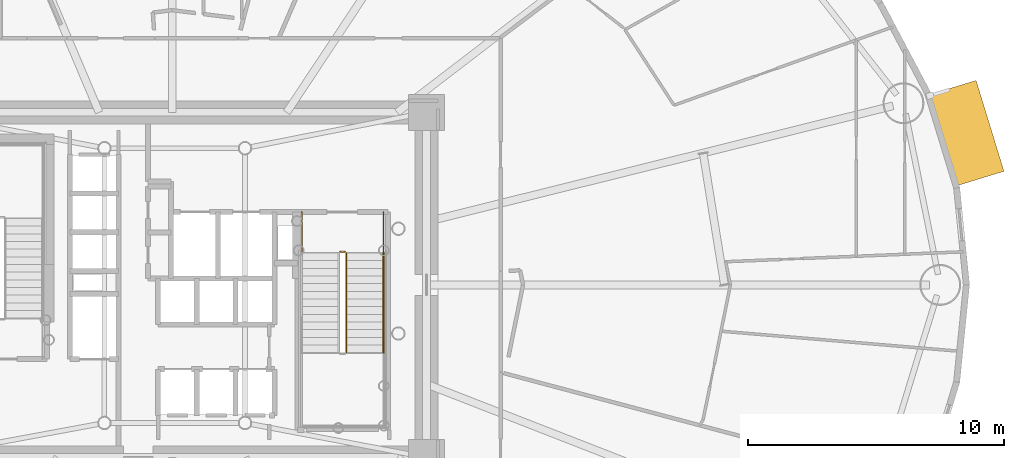
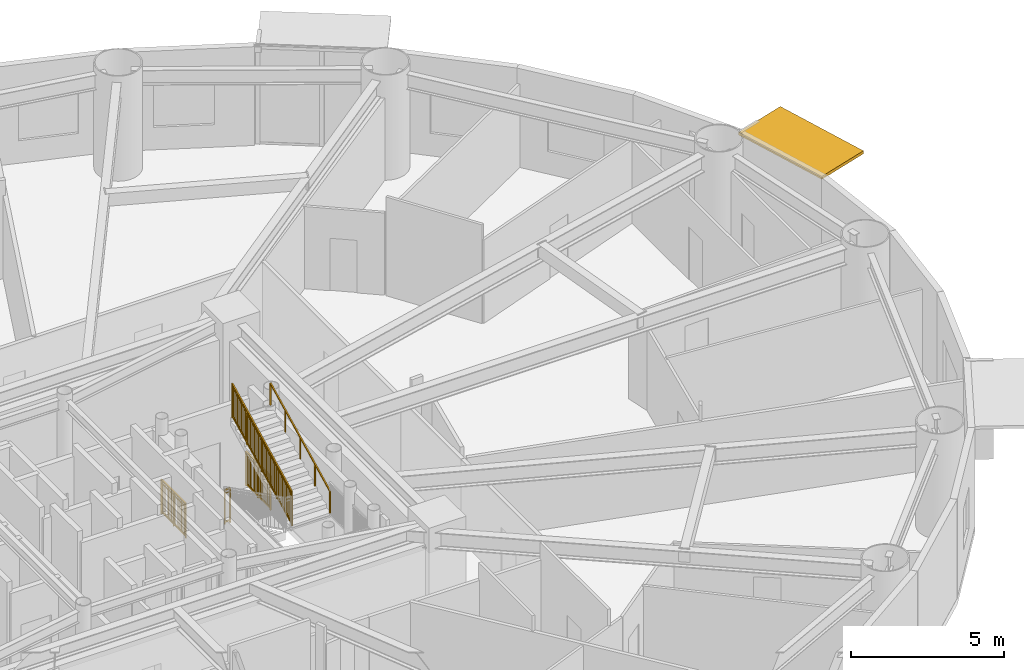
# One storey, part 23 of 24: 5 railings, 1 shading device.
"""IFC4 building model written with IfcOpenShell, lengths in metres."""

import ifcopenshell
import ifcopenshell.guid

model = None  # the IFC model being written
_history = None  # IfcOwnerHistory: only IFC2X3 demands one
_inside = {}  # id of a spatial element -> (the spatial element, [elements in it])
_under = {}  # id of a project, library or spatial element -> (it, [spatial elements below it])
_declared = {}  # id of a project -> (the project, [libraries it declares])
_typed = {}  # id of a type object -> (the type object, [elements of that type])
_made_of = {}  # id of a material, layer set ... -> (it, [elements and type objects made of it])


def new_model(schema):
    """Start an empty IFC model of exactly this schema.

    Asked for "IFC4X3", IfcOpenShell would pick the latest addendum, in which some entities
    have other attributes; the version numbers below select the first issue.
    IFC2X3 requires an IfcOwnerHistory on every rooted entity: one is made here for all.
    """
    global model, _history
    if schema == "IFC4X3":
        model = ifcopenshell.file(schema_version=(4, 3, 0, 0))
    else:
        model = ifcopenshell.file(schema=schema)
    _inside.clear()
    _under.clear()
    _declared.clear()
    _typed.clear()
    _made_of.clear()
    _history = None
    if model.schema == "IFC2X3":
        org = make("IfcOrganization", Name="unknown")
        user = make(
            "IfcPersonAndOrganization",
            ThePerson=make("IfcPerson", FamilyName="unknown"),
            TheOrganization=org,
        )
        app = make(
            "IfcApplication",
            ApplicationDeveloper=org,
            Version="unknown",
            ApplicationFullName="unknown",
            ApplicationIdentifier="unknown",
        )
        _history = make(
            "IfcOwnerHistory",
            OwningUser=user,
            OwningApplication=app,
            ChangeAction="ADDED",
            CreationDate=0,
        )
    return model


def make(cls, **values):
    """One entity of the class cls with the attributes given. An attribute that is None is left unset."""
    return model.create_entity(
        cls, **{name: value for name, value in values.items() if value is not None}
    )


def rooted(cls, **values):
    """An entity with a GlobalId (a new one), such as an element, a storey or a relation."""
    return make(cls, GlobalId=ifcopenshell.guid.new(), OwnerHistory=_history, **values)


def si_unit(unit_type, name, prefix=None):
    """IfcSIUnit, for example si_unit("LENGTHUNIT", "METRE", prefix="MILLI")."""
    return make("IfcSIUnit", UnitType=unit_type, Prefix=prefix, Name=name)


def assignment(units):
    """IfcUnitAssignment: the units of a project."""
    return None if units is None else make("IfcUnitAssignment", Units=units)


def point(xyz):
    """IfcCartesianPoint."""
    return None if xyz is None else make("IfcCartesianPoint", Coordinates=xyz)


def direction(xyz):
    """IfcDirection."""
    return None if xyz is None else make("IfcDirection", DirectionRatios=xyz)


def frame(location, z_axis=None, x_axis=None):
    """IfcAxis2Placement3D, a coordinate frame: its origin and axes. An axis left out is left unset."""
    return make(
        "IfcAxis2Placement3D",
        Location=point(location),
        Axis=direction(z_axis),
        RefDirection=direction(x_axis),
    )


def frame_2d(location, x_axis=None):
    """IfcAxis2Placement2D, a coordinate frame in the plane: its origin and x axis."""
    return make(
        "IfcAxis2Placement2D", Location=point(location), RefDirection=direction(x_axis)
    )


def origin():
    """The frame at (0, 0, 0) with its axes left unset."""
    return frame((0.0, 0.0, 0.0))


def origin_2d():
    """The frame at (0, 0) in the plane with its x axis left unset."""
    return frame_2d((0.0, 0.0))


def place(relative_to, where):
    """IfcLocalPlacement: puts the frame where relative to a parent placement (None: the world)."""
    return make(
        "IfcLocalPlacement", PlacementRelTo=relative_to, RelativePlacement=where
    )


def context(
    kind, dimensions, precision=None, world=None, true_north=None, identifier=None
):
    """IfcGeometricRepresentationContext, for example the 3D "Model" context."""
    return make(
        "IfcGeometricRepresentationContext",
        ContextIdentifier=identifier,
        ContextType=kind,
        CoordinateSpaceDimension=dimensions,
        Precision=precision,
        WorldCoordinateSystem=world,
        TrueNorth=true_north,
    )


def subcontext(parent, identifier, kind, view, scale=None):
    """IfcGeometricRepresentationSubContext, for example "Body" below "Model"."""
    return make(
        "IfcGeometricRepresentationSubContext",
        ContextIdentifier=identifier,
        ContextType=kind,
        ParentContext=parent,
        TargetScale=scale,
        TargetView=view,
    )


def project(units=None, contexts=None):
    """IfcProject with its units and contexts."""
    return rooted(
        "IfcProject",
        Name="project",
        RepresentationContexts=contexts,
        UnitsInContext=assignment(units),
    )


def spatial(cls, under=None, at=None, **own):
    """A site, building, storey or space (cls), placed at a placement, below another one or the project."""
    s = rooted(cls, ObjectPlacement=at, **own)
    if under is not None:
        _under.setdefault(under.id(), (under, []))[1].append(s)
    return s


def profile(cls, at=None, kind="AREA", **sizes):
    """A parametric profile (cls). Its sizes go by their IFC names, for example OverallWidth=200.0."""
    return make(cls, ProfileType=kind, Position=at, **sizes)


def rectangle(**sizes):
    """IfcRectangleProfileDef."""
    return profile("IfcRectangleProfileDef", **sizes)


def extrude(swept, where, along, depth):
    """IfcExtrudedAreaSolid: the profile swept, set in the frame where, extruded along a direction by depth."""
    return make(
        "IfcExtrudedAreaSolid",
        SweptArea=swept,
        Position=where,
        ExtrudedDirection=direction(along),
        Depth=depth,
    )


def shape(context_of_items, identifier, shape_type, items):
    """IfcShapeRepresentation: the items that make up one representation, for example the "Body"."""
    return make(
        "IfcShapeRepresentation",
        ContextOfItems=context_of_items,
        RepresentationIdentifier=identifier,
        RepresentationType=shape_type,
        Items=items,
    )


def source(mapping_origin, context_of_items, identifier, shape_type, items):
    """IfcRepresentationMap: a shape defined once, which mapped items show again and again."""
    return make(
        "IfcRepresentationMap",
        MappingOrigin=mapping_origin,
        MappedRepresentation=shape(context_of_items, identifier, shape_type, items),
    )


def transform(
    local_origin,
    x_axis=None,
    y_axis=None,
    z_axis=None,
    scale=None,
    scale2=None,
    scale3=None,
    uniform=True,
):
    """IfcCartesianTransformationOperator3D, or its non-uniform kind. x_axis, y_axis, z_axis: its Axis1, 2, 3."""
    if uniform:
        return make(
            "IfcCartesianTransformationOperator3D",
            Axis1=direction(x_axis),
            Axis2=direction(y_axis),
            LocalOrigin=point(local_origin),
            Scale=scale,
            Axis3=direction(z_axis),
        )
    return make(
        "IfcCartesianTransformationOperator3DnonUniform",
        Axis1=direction(x_axis),
        Axis2=direction(y_axis),
        LocalOrigin=point(local_origin),
        Scale=scale,
        Axis3=direction(z_axis),
        Scale2=scale2,
        Scale3=scale3,
    )


def mapped(mapping_source, mapping_target):
    """IfcMappedItem: shows the shape of a source again, moved by a transform."""
    return make(
        "IfcMappedItem", MappingSource=mapping_source, MappingTarget=mapping_target
    )


def material(Name=None, Category=None):
    """IfcMaterial."""
    return make("IfcMaterial", Name=Name, Category=Category)


def layer(
    of_material, thickness, ventilated=None, Name=None, Category=None, Priority=None
):
    """IfcMaterialLayer: one layer of a wall or slab, of a material (None: an air gap)."""
    return make(
        "IfcMaterialLayer",
        Material=of_material,
        LayerThickness=thickness,
        IsVentilated=ventilated,
        Name=Name,
        Category=Category,
        Priority=Priority,
    )


def layer_set(layers, Name=None):
    """IfcMaterialLayerSet."""
    return make("IfcMaterialLayerSet", MaterialLayers=layers, LayerSetName=Name)


def made_of(thing, what):
    """Note that an element or type object is made of a material, layer set ...; save() writes the relation."""
    if what is not None:
        _made_of.setdefault(what.id(), (what, []))[1].append(thing)
    return thing


def type_object(cls, material=None, **own):
    """A type object (cls), such as IfcWallType, which elements share."""
    return made_of(rooted(cls, **own), material)


def element(
    cls,
    number,
    at=None,
    inside=None,
    cuts=None,
    type_object=None,
    material=None,
    context=None,
    identifier="Body",
    shape_type=None,
    held_by="IfcProductDefinitionShape",
    body=None,
    shapes=None,
    **own,
):
    """One element of the class cls, such as IfcWall. Its Tag is "e" and its number.

    at: its placement. inside: the storey or other place that contains it. cuts: it is an
    opening in that element (IfcRelVoidsElement). A single representation is given by context,
    identifier, shape_type and body (its items); several are given by shapes. held_by: the class
    of the entity that holds the representations. save() writes the other relations.
    """
    e = rooted(cls, Tag="e%d" % number, ObjectPlacement=at, **own)
    if body is not None:
        shapes = [shape(context, identifier, shape_type, body)]
    if shapes is not None:
        e.Representation = make(held_by, Representations=shapes)
    if inside is not None:
        _inside.setdefault(inside.id(), (inside, []))[1].append(e)
    if cuts is not None:
        rooted(
            "IfcRelVoidsElement", RelatingBuildingElement=cuts, RelatedOpeningElement=e
        )
    if type_object is not None:
        _typed.setdefault(type_object.id(), (type_object, []))[1].append(e)
    return made_of(e, material)


def aggregate(whole, parts):
    """IfcRelAggregates: a whole, such as a stair, and the parts it consists of."""
    return rooted("IfcRelAggregates", RelatingObject=whole, RelatedObjects=parts)


def save(model, path):
    """Write the relations noted so far, then the file.

    IfcRelAggregates (storeys below a building ...), IfcRelContainedInSpatialStructure (elements
    in a storey), IfcRelDefinesByType, IfcRelAssociatesMaterial and IfcRelDeclares: one each for
    every whole, place, type object, material and project.
    """
    for whole, parts in _under.values():
        aggregate(whole, parts)
    for where, things in _inside.values():
        rooted(
            "IfcRelContainedInSpatialStructure",
            RelatedElements=things,
            RelatingStructure=where,
        )
    for kind, things in _typed.values():
        rooted("IfcRelDefinesByType", RelatedObjects=things, RelatingType=kind)
    for what, things in _made_of.values():
        rooted("IfcRelAssociatesMaterial", RelatedObjects=things, RelatingMaterial=what)
    for by, libraries in _declared.values():
        rooted("IfcRelDeclares", RelatingContext=by, RelatedDefinitions=libraries)
    model.write(path)


model = new_model("IFC4")

# Units and contexts
model_context = context("Model", 3, precision=1e-05, world=origin(), true_north=direction((0.0, 1.0)))
body_context = subcontext(model_context, "Body", "Model", "MODEL_VIEW")
ifc_project = project(units=[si_unit("LENGTHUNIT", "METRE"), si_unit("AREAUNIT", "SQUARE_METRE"), si_unit("VOLUMEUNIT", "CUBIC_METRE"), si_unit("PLANEANGLEUNIT", "RADIAN"), si_unit("MASSUNIT", "GRAM", prefix="KILO")], contexts=[model_context])

# Site, building, storey
site_placement = place(None, origin())
site = spatial("IfcSite", under=ifc_project, at=site_placement, CompositionType="ELEMENT")
building_placement = place(site_placement, origin())
building = spatial("IfcBuilding", under=site, at=building_placement, Name="Linh Dai School and Residence Tower", CompositionType="ELEMENT")
storey_placement = place(building_placement, frame((0.0, 0.0, 70.199951171875)))
storey = spatial("IfcBuildingStorey", under=building, at=storey_placement, Name="L16", CompositionType="ELEMENT", Elevation=70.199951171875)

# Shading device
ifc_material_1 = material(Name="Terracotta Ceramic Sunshade", Category="masonry")
ifc_layer = layer(ifc_material_1, 0.1201171875)
ifc_layer_set = layer_set([ifc_layer], Name="Terracotta Ceramic Sunshade")
shading_device_type = type_object("IfcShadingDeviceType", Name="SHD-TC-2000", PredefinedType="USERDEFINED", material=ifc_layer_set)
shared_shape_1 = source(origin(), body_context, "Body", "SweptSolid", [
    extrude(rectangle(XDim=3.7197265625, YDim=2.0, at=origin_2d()), origin(), (0.0, 0.0, 1.0), 0.1201171875),
])
shading_device_placement = place(storey_placement, frame((67.043212890625, 32.9306640625, 3.81005859375), z_axis=(0.0, 0.0, 1.0), x_axis=(0.293145733514, -0.956067769001, 0.0)))
element("IfcShadingDevice", 1, at=shading_device_placement, inside=storey, type_object=shading_device_type, Name="L16 Terracotta Horizontal Sunshade Band 02", ObjectType="SUNSHADE", PredefinedType="USERDEFINED", context=body_context, shape_type="MappedRepresentation", body=[
    mapped(shared_shape_1, transform((0.0, 0.0, 0.0), x_axis=(1.0, 0.0, 0.0), y_axis=(0.0, 1.0, 0.0), z_axis=(0.0, 0.0, 1.0), scale=1.0)),
])

# Railings
ifc_material_2 = material(Name="Structural Steel S355JR", Category="steel")
railing_type_1 = type_object("IfcRailingType", Name="RL-ST-GUARD-1400", PredefinedType="GUARDRAIL", material=ifc_material_2)
shared_shape_2 = source(origin(), body_context, "Body", "SweptSolid", [
    extrude(rectangle(XDim=0.048095703125, YDim=0.048095703125, at=origin_2d()), frame((0.0, 0.0, 1.3759765625), z_axis=(1.0, 0.0, 0.0), x_axis=(0.0, 1.0, 0.0)), (0.0, 0.0, 1.0), 0.199951171875),
    extrude(rectangle(XDim=0.048095703125, YDim=0.048095703125, at=origin_2d()), frame((0.0, 0.0, 0.10009765625), z_axis=(1.0, 0.0, 0.0), x_axis=(0.0, 1.0, 0.0)), (0.0, 0.0, 1.0), 0.199951171875),
    extrude(rectangle(XDim=0.030029296875, YDim=0.030029296875, at=origin_2d()), frame((0.0, 0.0, 1.239990234375), z_axis=(1.0, 0.0, 0.0), x_axis=(0.0, 1.0, 0.0)), (0.0, 0.0, 1.0), 0.199951171875),
    extrude(rectangle(XDim=0.0419921875, YDim=0.0419921875, at=origin_2d()), origin(), (0.0, 0.0, 1.0), 1.3759765625),
    extrude(rectangle(XDim=0.0419921875, YDim=0.0419921875, at=origin_2d()), frame((0.199951171875, 0.0, 0.0)), (0.0, 0.0, 1.0), 1.3759765625),
])
railing_1_placement = place(storey_placement, frame((42.570068359375, 28.300048828125, 0.0)))
element("IfcRailing", 2, at=railing_1_placement, inside=storey, type_object=railing_type_1, Name="L16 ST2 stair guard 7", PredefinedType="GUARDRAIL", context=body_context, shape_type="MappedRepresentation", body=[
    mapped(shared_shape_2, transform((0.0, 0.0, 0.0), x_axis=(1.0, 0.0, 0.0), y_axis=(0.0, 1.0, 0.0), z_axis=(0.0, 0.0, 1.0), scale=1.0)),
])
shared_shape_3 = source(origin(), body_context, "Body", "SweptSolid", [
    extrude(rectangle(XDim=0.048095703125, YDim=0.048095703125, at=origin_2d()), frame((0.0, 0.0, 1.3759765625), z_axis=(0.0, -1.0, 0.0), x_axis=(1.0, 0.0, 0.0)), (0.0, 0.0, 1.0), 1.60009765625),
    extrude(rectangle(XDim=0.048095703125, YDim=0.048095703125, at=origin_2d()), frame((0.0, 0.0, 0.10009765625), z_axis=(0.0, -1.0, 0.0), x_axis=(1.0, 0.0, 0.0)), (0.0, 0.0, 1.0), 1.60009765625),
    extrude(rectangle(XDim=0.030029296875, YDim=0.030029296875, at=origin_2d()), frame((0.0, 0.0, 1.239990234375), z_axis=(0.0, -1.0, 0.0), x_axis=(1.0, 0.0, 0.0)), (0.0, 0.0, 1.0), 1.60009765625),
    extrude(rectangle(XDim=0.02001953125, YDim=0.02001953125, at=origin_2d()), frame((0.0, -0.09423828125, 0.10009765625)), (0.0, 0.0, 1.0), 1.251708984375),
    extrude(rectangle(XDim=0.02001953125, YDim=0.02001953125, at=origin_2d()), frame((0.0, -0.188232421875, 0.10009765625)), (0.0, 0.0, 1.0), 1.251708984375),
    extrude(rectangle(XDim=0.02001953125, YDim=0.02001953125, at=origin_2d()), frame((0.0, -0.282470703125, 0.10009765625)), (0.0, 0.0, 1.0), 1.251708984375),
    extrude(rectangle(XDim=0.02001953125, YDim=0.02001953125, at=origin_2d()), frame((0.0, -0.37646484375, 0.10009765625)), (0.0, 0.0, 1.0), 1.251708984375),
    extrude(rectangle(XDim=0.02001953125, YDim=0.02001953125, at=origin_2d()), frame((0.0, -0.470703125, 0.10009765625)), (0.0, 0.0, 1.0), 1.251708984375),
    extrude(rectangle(XDim=0.02001953125, YDim=0.02001953125, at=origin_2d()), frame((0.0, -0.564697265625, 0.10009765625)), (0.0, 0.0, 1.0), 1.251708984375),
    extrude(rectangle(XDim=0.02001953125, YDim=0.02001953125, at=origin_2d()), frame((0.0, -0.658935546875, 0.10009765625)), (0.0, 0.0, 1.0), 1.251708984375),
    extrude(rectangle(XDim=0.02001953125, YDim=0.02001953125, at=origin_2d()), frame((0.0, -0.7529296875, 0.10009765625)), (0.0, 0.0, 1.0), 1.251708984375),
    extrude(rectangle(XDim=0.02001953125, YDim=0.02001953125, at=origin_2d()), frame((0.0, -0.84716796875, 0.10009765625)), (0.0, 0.0, 1.0), 1.251708984375),
    extrude(rectangle(XDim=0.02001953125, YDim=0.02001953125, at=origin_2d()), frame((0.0, -0.941162109375, 0.10009765625)), (0.0, 0.0, 1.0), 1.251708984375),
    extrude(rectangle(XDim=0.02001953125, YDim=0.02001953125, at=origin_2d()), frame((0.0, -1.035400390625, 0.10009765625)), (0.0, 0.0, 1.0), 1.251708984375),
    extrude(rectangle(XDim=0.02001953125, YDim=0.02001953125, at=origin_2d()), frame((0.0, -1.12939453125, 0.10009765625)), (0.0, 0.0, 1.0), 1.251708984375),
    extrude(rectangle(XDim=0.02001953125, YDim=0.02001953125, at=origin_2d()), frame((0.0, -1.2236328125, 0.10009765625)), (0.0, 0.0, 1.0), 1.251708984375),
    extrude(rectangle(XDim=0.02001953125, YDim=0.02001953125, at=origin_2d()), frame((0.0, -1.317626953125, 0.10009765625)), (0.0, 0.0, 1.0), 1.251708984375),
    extrude(rectangle(XDim=0.02001953125, YDim=0.02001953125, at=origin_2d()), frame((0.0, -1.411865234375, 0.10009765625)), (0.0, 0.0, 1.0), 1.251708984375),
    extrude(rectangle(XDim=0.02001953125, YDim=0.02001953125, at=origin_2d()), frame((0.0, -1.505859375, 0.10009765625)), (0.0, 0.0, 1.0), 1.251708984375),
    extrude(rectangle(XDim=0.0419921875, YDim=0.0419921875, at=origin_2d()), origin(), (0.0, 0.0, 1.0), 1.3759765625),
    extrude(rectangle(XDim=0.0419921875, YDim=0.0419921875, at=origin_2d()), frame((0.0, -0.800048828125, 0.0)), (0.0, 0.0, 1.0), 1.3759765625),
    extrude(rectangle(XDim=0.0419921875, YDim=0.0419921875, at=origin_2d()), frame((0.0, -1.60009765625, 0.0)), (0.0, 0.0, 1.0), 1.3759765625),
])
for number, where, name in (
    (3, (41.070068359375, 29.85009765625, 0.0), "L16 ST2 stair guard 8"),
    (4, (44.27001953125, 29.85009765625, 0.0), "L16 ST2 stair guard 9"),
):
    element("IfcRailing", number, at=place(storey_placement, frame(where)), inside=storey, type_object=railing_type_1, Name=name, PredefinedType="GUARDRAIL", context=body_context, shape_type="MappedRepresentation", body=[
        mapped(shared_shape_3, transform((0.0, 0.0, 0.0), x_axis=(1.0, 0.0, 0.0), y_axis=(0.0, 1.0, 0.0), z_axis=(0.0, 0.0, 1.0), scale=1.0)),
    ])
shared_shape_4 = source(origin(), body_context, "Body", "SweptSolid", [
    extrude(rectangle(XDim=0.048095703125, YDim=0.048095703125, at=origin_2d()), frame((0.0, 0.0, 1.3759765625), z_axis=(0.0, 0.894427191, 0.4472135955), x_axis=(-1.0, 0.0, 0.0)), (0.0, 0.0, 1.0), 4.360107421875),
    extrude(rectangle(XDim=0.048095703125, YDim=0.048095703125, at=origin_2d()), frame((0.0, 0.0, 0.10009765625), z_axis=(0.0, 0.894427191, 0.4472135955), x_axis=(-1.0, 0.0, 0.0)), (0.0, 0.0, 1.0), 4.360107421875),
    extrude(rectangle(XDim=0.030029296875, YDim=0.030029296875, at=origin_2d()), frame((0.0, 0.0, 1.239990234375), z_axis=(0.0, 0.894427191, 0.4472135955), x_axis=(-1.0, 0.0, 0.0)), (0.0, 0.0, 1.0), 4.360107421875),
    extrude(rectangle(XDim=0.02001953125, YDim=0.02001953125, at=origin_2d()), frame((0.0, 0.086669921875, 0.143310546875)), (0.0, 0.0, 1.0), 1.251708984375),
    extrude(rectangle(XDim=0.02001953125, YDim=0.02001953125, at=origin_2d()), frame((0.0, 0.17333984375, 0.186767578125)), (0.0, 0.0, 1.0), 1.251708984375),
    extrude(rectangle(XDim=0.02001953125, YDim=0.02001953125, at=origin_2d()), frame((0.0, 0.260009765625, 0.22998046875)), (0.0, 0.0, 1.0), 1.251708984375),
    extrude(rectangle(XDim=0.02001953125, YDim=0.02001953125, at=origin_2d()), frame((0.0, 0.3466796875, 0.2734375)), (0.0, 0.0, 1.0), 1.251708984375),
    extrude(rectangle(XDim=0.02001953125, YDim=0.02001953125, at=origin_2d()), frame((0.0, 0.433349609375, 0.316650390625)), (0.0, 0.0, 1.0), 1.251708984375),
    extrude(rectangle(XDim=0.02001953125, YDim=0.02001953125, at=origin_2d()), frame((0.0, 0.52001953125, 0.360107421875)), (0.0, 0.0, 1.0), 1.251708984375),
    extrude(rectangle(XDim=0.02001953125, YDim=0.02001953125, at=origin_2d()), frame((0.0, 0.606689453125, 0.4033203125)), (0.0, 0.0, 1.0), 1.251708984375),
    extrude(rectangle(XDim=0.02001953125, YDim=0.02001953125, at=origin_2d()), frame((0.0, 0.693359375, 0.44677734375)), (0.0, 0.0, 1.0), 1.251708984375),
    extrude(rectangle(XDim=0.02001953125, YDim=0.02001953125, at=origin_2d()), frame((0.0, 0.780029296875, 0.489990234375)), (0.0, 0.0, 1.0), 1.251708984375),
    extrude(rectangle(XDim=0.02001953125, YDim=0.02001953125, at=origin_2d()), frame((0.0, 0.86669921875, 0.533447265625)), (0.0, 0.0, 1.0), 1.251708984375),
    extrude(rectangle(XDim=0.02001953125, YDim=0.02001953125, at=origin_2d()), frame((0.0, 1.0400390625, 0.6201171875)), (0.0, 0.0, 1.0), 1.251708984375),
    extrude(rectangle(XDim=0.02001953125, YDim=0.02001953125, at=origin_2d()), frame((0.0, 1.126708984375, 0.663330078125)), (0.0, 0.0, 1.0), 1.251708984375),
    extrude(rectangle(XDim=0.02001953125, YDim=0.02001953125, at=origin_2d()), frame((0.0, 1.21337890625, 0.706787109375)), (0.0, 0.0, 1.0), 1.251708984375),
    extrude(rectangle(XDim=0.02001953125, YDim=0.02001953125, at=origin_2d()), frame((0.0, 1.300048828125, 0.75)), (0.0, 0.0, 1.0), 1.251708984375),
    extrude(rectangle(XDim=0.02001953125, YDim=0.02001953125, at=origin_2d()), frame((0.0, 1.38671875, 0.79345703125)), (0.0, 0.0, 1.0), 1.251708984375),
    extrude(rectangle(XDim=0.02001953125, YDim=0.02001953125, at=origin_2d()), frame((0.0, 1.473388671875, 0.836669921875)), (0.0, 0.0, 1.0), 1.251708984375),
    extrude(rectangle(XDim=0.02001953125, YDim=0.02001953125, at=origin_2d()), frame((0.0, 1.56005859375, 0.880126953125)), (0.0, 0.0, 1.0), 1.251708984375),
    extrude(rectangle(XDim=0.02001953125, YDim=0.02001953125, at=origin_2d()), frame((0.0, 1.646728515625, 0.92333984375)), (0.0, 0.0, 1.0), 1.251708984375),
    extrude(rectangle(XDim=0.02001953125, YDim=0.02001953125, at=origin_2d()), frame((0.0, 1.7333984375, 0.966796875)), (0.0, 0.0, 1.0), 1.251708984375),
    extrude(rectangle(XDim=0.02001953125, YDim=0.02001953125, at=origin_2d()), frame((0.0, 1.820068359375, 1.010009765625)), (0.0, 0.0, 1.0), 1.251708984375),
    extrude(rectangle(XDim=0.02001953125, YDim=0.02001953125, at=origin_2d()), frame((0.0, 1.90673828125, 1.053466796875)), (0.0, 0.0, 1.0), 1.251708984375),
    extrude(rectangle(XDim=0.02001953125, YDim=0.02001953125, at=origin_2d()), frame((0.0, 1.9931640625, 1.0966796875)), (0.0, 0.0, 1.0), 1.251708984375),
    extrude(rectangle(XDim=0.02001953125, YDim=0.02001953125, at=origin_2d()), frame((0.0, 2.079833984375, 1.14013671875)), (0.0, 0.0, 1.0), 1.251708984375),
    extrude(rectangle(XDim=0.02001953125, YDim=0.02001953125, at=origin_2d()), frame((0.0, 2.16650390625, 1.183349609375)), (0.0, 0.0, 1.0), 1.251708984375),
    extrude(rectangle(XDim=0.02001953125, YDim=0.02001953125, at=origin_2d()), frame((0.0, 2.253173828125, 1.226806640625)), (0.0, 0.0, 1.0), 1.251708984375),
    extrude(rectangle(XDim=0.02001953125, YDim=0.02001953125, at=origin_2d()), frame((0.0, 2.33984375, 1.27001953125)), (0.0, 0.0, 1.0), 1.251708984375),
    extrude(rectangle(XDim=0.02001953125, YDim=0.02001953125, at=origin_2d()), frame((0.0, 2.426513671875, 1.3134765625)), (0.0, 0.0, 1.0), 1.251708984375),
    extrude(rectangle(XDim=0.02001953125, YDim=0.02001953125, at=origin_2d()), frame((0.0, 2.51318359375, 1.356689453125)), (0.0, 0.0, 1.0), 1.251708984375),
    extrude(rectangle(XDim=0.02001953125, YDim=0.02001953125, at=origin_2d()), frame((0.0, 2.599853515625, 1.400146484375)), (0.0, 0.0, 1.0), 1.251708984375),
    extrude(rectangle(XDim=0.02001953125, YDim=0.02001953125, at=origin_2d()), frame((0.0, 2.6865234375, 1.443359375)), (0.0, 0.0, 1.0), 1.251708984375),
    extrude(rectangle(XDim=0.02001953125, YDim=0.02001953125, at=origin_2d()), frame((0.0, 2.773193359375, 1.48681640625)), (0.0, 0.0, 1.0), 1.251708984375),
    extrude(rectangle(XDim=0.02001953125, YDim=0.02001953125, at=origin_2d()), frame((0.0, 2.85986328125, 1.530029296875)), (0.0, 0.0, 1.0), 1.251708984375),
    extrude(rectangle(XDim=0.02001953125, YDim=0.02001953125, at=origin_2d()), frame((0.0, 3.033203125, 1.61669921875)), (0.0, 0.0, 1.0), 1.251708984375),
    extrude(rectangle(XDim=0.02001953125, YDim=0.02001953125, at=origin_2d()), frame((0.0, 3.119873046875, 1.66015625)), (0.0, 0.0, 1.0), 1.251708984375),
    extrude(rectangle(XDim=0.02001953125, YDim=0.02001953125, at=origin_2d()), frame((0.0, 3.20654296875, 1.703369140625)), (0.0, 0.0, 1.0), 1.251708984375),
    extrude(rectangle(XDim=0.02001953125, YDim=0.02001953125, at=origin_2d()), frame((0.0, 3.293212890625, 1.746826171875)), (0.0, 0.0, 1.0), 1.251708984375),
    extrude(rectangle(XDim=0.02001953125, YDim=0.02001953125, at=origin_2d()), frame((0.0, 3.3798828125, 1.7900390625)), (0.0, 0.0, 1.0), 1.251708984375),
    extrude(rectangle(XDim=0.02001953125, YDim=0.02001953125, at=origin_2d()), frame((0.0, 3.466552734375, 1.83349609375)), (0.0, 0.0, 1.0), 1.251708984375),
    extrude(rectangle(XDim=0.02001953125, YDim=0.02001953125, at=origin_2d()), frame((0.0, 3.55322265625, 1.876708984375)), (0.0, 0.0, 1.0), 1.251708984375),
    extrude(rectangle(XDim=0.02001953125, YDim=0.02001953125, at=origin_2d()), frame((0.0, 3.639892578125, 1.920166015625)), (0.0, 0.0, 1.0), 1.251708984375),
    extrude(rectangle(XDim=0.02001953125, YDim=0.02001953125, at=origin_2d()), frame((0.0, 3.7265625, 1.96337890625)), (0.0, 0.0, 1.0), 1.251708984375),
    extrude(rectangle(XDim=0.02001953125, YDim=0.02001953125, at=origin_2d()), frame((0.0, 3.813232421875, 2.0068359375)), (0.0, 0.0, 1.0), 1.251708984375),
    extrude(rectangle(XDim=0.0419921875, YDim=0.0419921875, at=origin_2d()), origin(), (0.0, 0.0, 1.0), 1.3759765625),
    extrude(rectangle(XDim=0.0419921875, YDim=0.0419921875, at=origin_2d()), frame((0.0, 0.97509765625, 0.487548828125)), (0.0, 0.0, 1.0), 1.3759765625),
    extrude(rectangle(XDim=0.0419921875, YDim=0.0419921875, at=origin_2d()), frame((0.0, 1.949951171875, 0.97509765625)), (0.0, 0.0, 1.0), 1.3759765625),
    extrude(rectangle(XDim=0.0419921875, YDim=0.0419921875, at=origin_2d()), frame((0.0, 2.9248046875, 1.46240234375)), (0.0, 0.0, 1.0), 1.3759765625),
    extrude(rectangle(XDim=0.0419921875, YDim=0.0419921875, at=origin_2d()), frame((0.0, 3.89990234375, 1.949951171875)), (0.0, 0.0, 1.0), 1.3759765625),
])
railing_2_placement = place(storey_placement, frame((42.820068359375, 24.35009765625, 2.25)))
element("IfcRailing", 5, at=railing_2_placement, inside=storey, type_object=railing_type_1, Name="L16 ST2 stair guard 6", PredefinedType="GUARDRAIL", context=body_context, shape_type="MappedRepresentation", body=[
    mapped(shared_shape_4, transform((0.0, 0.0, 0.0), x_axis=(1.0, 0.0, 0.0), y_axis=(0.0, 1.0, 0.0), z_axis=(0.0, 0.0, 1.0), scale=1.0)),
])
ifc_material_3 = material(Name="Brushed Stainless Steel Handrail", Category="steel")
railing_type_2 = type_object("IfcRailingType", Name="RL-ST-HANDRAIL-900", PredefinedType="HANDRAIL", material=ifc_material_3)
shared_shape_5 = source(origin(), body_context, "Body", "SweptSolid", [
    extrude(rectangle(XDim=0.048095703125, YDim=0.048095703125, at=origin_2d()), frame((0.0, 0.0, 0.8759765625), z_axis=(0.0, 0.894427191, 0.4472135955), x_axis=(-1.0, 0.0, 0.0)), (0.0, 0.0, 1.0), 4.360107421875),
    extrude(rectangle(XDim=0.0419921875, YDim=0.0419921875, at=origin_2d()), origin(), (0.0, 0.0, 1.0), 0.8759765625),
    extrude(rectangle(XDim=0.0419921875, YDim=0.0419921875, at=origin_2d()), frame((0.0, 0.97509765625, 0.487548828125)), (0.0, 0.0, 1.0), 0.8759765625),
    extrude(rectangle(XDim=0.0419921875, YDim=0.0419921875, at=origin_2d()), frame((0.0, 1.949951171875, 0.97509765625)), (0.0, 0.0, 1.0), 0.8759765625),
    extrude(rectangle(XDim=0.0419921875, YDim=0.0419921875, at=origin_2d()), frame((0.0, 2.9248046875, 1.46240234375)), (0.0, 0.0, 1.0), 0.8759765625),
    extrude(rectangle(XDim=0.0419921875, YDim=0.0419921875, at=origin_2d()), frame((0.0, 3.89990234375, 1.949951171875)), (0.0, 0.0, 1.0), 0.8759765625),
])
railing_3_placement = place(storey_placement, frame((44.27001953125, 24.35009765625, 2.25)))
element("IfcRailing", 6, at=railing_3_placement, inside=storey, type_object=railing_type_2, Name="L16 ST2 stair handrail 2", PredefinedType="HANDRAIL", context=body_context, shape_type="MappedRepresentation", body=[
    mapped(shared_shape_5, transform((0.0, 0.0, 0.0), x_axis=(1.0, 0.0, 0.0), y_axis=(0.0, 1.0, 0.0), z_axis=(0.0, 0.0, 1.0), scale=1.0)),
])

save(model, "model.ifc")
